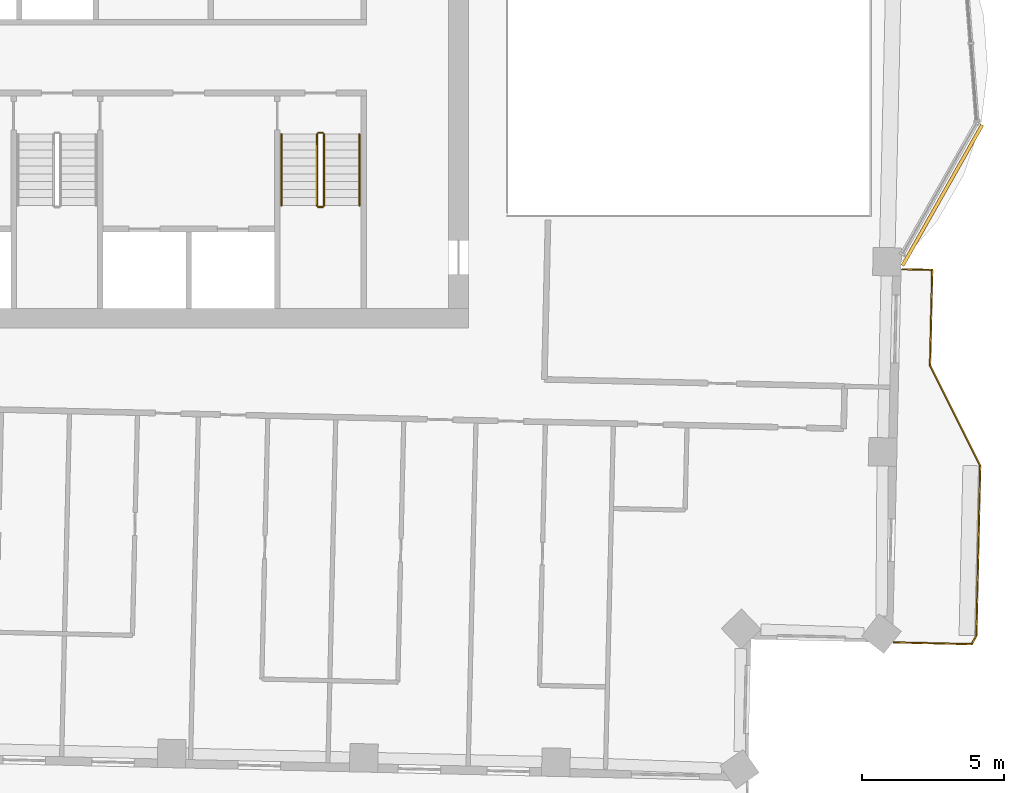
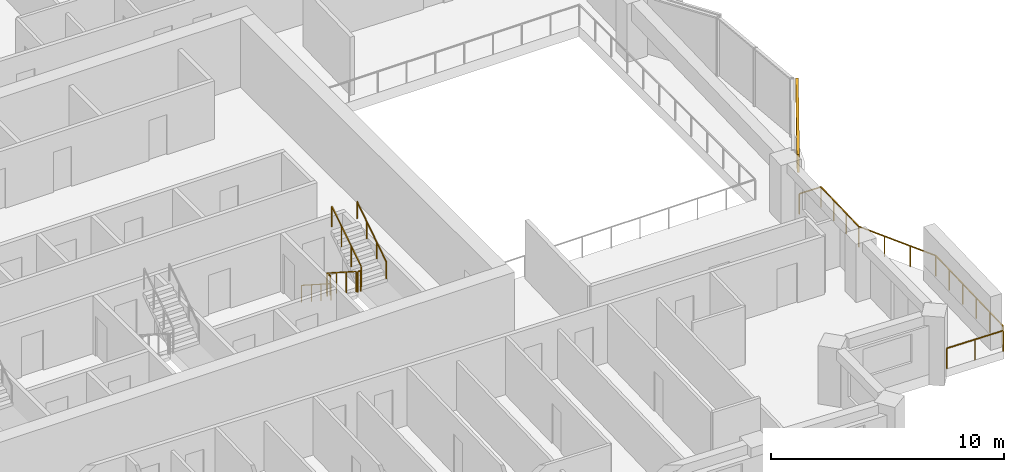
# One storey, part 16 of 17: 7 railings, 1 covering.
"""IFC4 building model written with IfcOpenShell, lengths in metres."""

from ifc_helpers import new_model, si_unit, direction, frame, frame_2d, origin, origin_2d, place, context, subcontext, project, spatial, rectangle, circle, extrude, material, layer, layer_set, type_object, element, save


model = new_model("IFC4")

# Units and contexts
model_context = context("Model", 3, precision=1e-05, world=origin(), true_north=direction((0.0, 1.0)))
body_context = subcontext(model_context, "Body", "Model", "MODEL_VIEW")
ifc_project = project(units=[si_unit("LENGTHUNIT", "METRE"), si_unit("AREAUNIT", "SQUARE_METRE"), si_unit("VOLUMEUNIT", "CUBIC_METRE"), si_unit("PLANEANGLEUNIT", "RADIAN"), si_unit("MASSUNIT", "GRAM", prefix="KILO")], contexts=[model_context])

# Site, building, storey
site_placement = place(None, origin())
site = spatial("IfcSite", under=ifc_project, at=site_placement, CompositionType="ELEMENT")
building_placement = place(site_placement, origin())
building = spatial("IfcBuilding", under=site, at=building_placement, Name="Mangrove Gate Tower", CompositionType="ELEMENT")
storey_placement = place(building_placement, frame((0.0, 0.0, 268.10009765625)))
storey = spatial("IfcBuildingStorey", under=building, at=storey_placement, Name="L68", CompositionType="ELEMENT", Elevation=268.10009765625)

# Railings
ifc_material_1 = material(Name="Stainless steel grade 316 with laminated glass infill", Category="steel")
railing_type_1 = type_object("IfcRailingType", Name="Balcony guard 1100", PredefinedType="GUARDRAIL", material=ifc_material_1)
railing_1_placement = place(storey_placement, frame((29.508056640625, -22.589111328125, 0.0)))
element("IfcRailing", 1, at=railing_1_placement, inside=storey, type_object=railing_type_1, Name="GUARD L68 E1", PredefinedType="GUARDRAIL", context=body_context, shape_type="SweptSolid", body=[
    extrude(rectangle(XDim=0.048095703125, YDim=0.048095703125, at=origin_2d()), frame((0.0, 0.0, 1.076171875), z_axis=(0.999748027468, -0.022447306616, 0.0), x_axis=(0.022447306616, 0.999748027468, 0.0)), (0.0, 0.0, 1.0), 2.751708984375),
    extrude(rectangle(XDim=0.048095703125, YDim=0.048095703125, at=origin_2d()), frame((2.7509765625, -0.061767578125, 1.076171875), z_axis=(0.487110593277, 0.873340294454, 0.0), x_axis=(-0.873340294454, 0.487110593277, 0.0)), (0.0, 0.0, 1.0), 0.3388671875),
    extrude(rectangle(XDim=0.048095703125, YDim=0.048095703125, at=origin_2d()), frame((2.916015625, 0.234130859375, 1.076171875), z_axis=(0.022662255828, 0.999743178102, 0.0), x_axis=(-0.999743178102, 0.022662255828, 0.0)), (0.0, 0.0, 1.0), 6.00048828125),
    extrude(rectangle(XDim=0.048095703125, YDim=0.048095703125, at=origin_2d()), frame((3.052001953125, 6.233154296875, 1.076171875), z_axis=(-0.447114919141, 0.894476522376, 0.0), x_axis=(-0.894476522376, -0.447114919141, 0.0)), (0.0, 0.0, 1.0), 3.958740234375),
    extrude(rectangle(XDim=0.048095703125, YDim=0.048095703125, at=origin_2d()), frame((1.281982421875, 9.774169921875, 1.076171875), z_axis=(0.02278713509, 0.999740339525, 0.0), x_axis=(-0.999740339525, 0.02278713509, 0.0)), (0.0, 0.0, 1.0), 3.375),
    extrude(rectangle(XDim=0.048095703125, YDim=0.048095703125, at=origin_2d()), frame((1.35888671875, 13.148193359375, 1.076171875), z_axis=(-0.999745389313, 0.022564497502, 0.0), x_axis=(-0.022564497502, -0.999745389313, 0.0)), (0.0, 0.0, 1.0), 1.060302734375),
    extrude(rectangle(XDim=0.0419921875, YDim=0.0419921875, at=origin_2d()), origin(), (0.0, 0.0, 1.0), 1.052001953125),
    extrude(rectangle(XDim=0.0419921875, YDim=0.0419921875, at=origin_2d()), frame((1.37548828125, -0.03076171875, 0.0)), (0.0, 0.0, 1.0), 1.052001953125),
    extrude(rectangle(XDim=0.0419921875, YDim=0.0419921875, at=origin_2d()), frame((2.7509765625, -0.061767578125, 0.0)), (0.0, 0.0, 1.0), 1.052001953125),
    extrude(rectangle(XDim=0.0419921875, YDim=0.0419921875, at=origin_2d()), frame((2.916015625, 0.234130859375, 0.0)), (0.0, 0.0, 1.0), 1.052001953125),
    extrude(rectangle(XDim=0.0419921875, YDim=0.0419921875, at=origin_2d()), frame((2.943115234375, 1.433837890625, 0.0)), (0.0, 0.0, 1.0), 1.052001953125),
    extrude(rectangle(XDim=0.0419921875, YDim=0.0419921875, at=origin_2d()), frame((2.970458984375, 2.6337890625, 0.0)), (0.0, 0.0, 1.0), 1.052001953125),
    extrude(rectangle(XDim=0.0419921875, YDim=0.0419921875, at=origin_2d()), frame((2.99755859375, 3.83349609375, 0.0)), (0.0, 0.0, 1.0), 1.052001953125),
    extrude(rectangle(XDim=0.0419921875, YDim=0.0419921875, at=origin_2d()), frame((3.02490234375, 5.033447265625, 0.0)), (0.0, 0.0, 1.0), 1.052001953125),
    extrude(rectangle(XDim=0.0419921875, YDim=0.0419921875, at=origin_2d()), frame((3.052001953125, 6.233154296875, 0.0)), (0.0, 0.0, 1.0), 1.052001953125),
    extrude(rectangle(XDim=0.0419921875, YDim=0.0419921875, at=origin_2d()), frame((2.4619140625, 7.41357421875, 0.0)), (0.0, 0.0, 1.0), 1.052001953125),
    extrude(rectangle(XDim=0.0419921875, YDim=0.0419921875, at=origin_2d()), frame((1.8720703125, 8.59375, 0.0)), (0.0, 0.0, 1.0), 1.052001953125),
    extrude(rectangle(XDim=0.0419921875, YDim=0.0419921875, at=origin_2d()), frame((1.281982421875, 9.774169921875, 0.0)), (0.0, 0.0, 1.0), 1.052001953125),
    extrude(rectangle(XDim=0.0419921875, YDim=0.0419921875, at=origin_2d()), frame((1.3076171875, 10.89892578125, 0.0)), (0.0, 0.0, 1.0), 1.052001953125),
    extrude(rectangle(XDim=0.0419921875, YDim=0.0419921875, at=origin_2d()), frame((1.333251953125, 12.0234375, 0.0)), (0.0, 0.0, 1.0), 1.052001953125),
    extrude(rectangle(XDim=0.0419921875, YDim=0.0419921875, at=origin_2d()), frame((1.35888671875, 13.148193359375, 0.0)), (0.0, 0.0, 1.0), 1.052001953125),
    extrude(rectangle(XDim=0.0419921875, YDim=0.0419921875, at=origin_2d()), frame((0.298828125, 13.172119140625, 0.0)), (0.0, 0.0, 1.0), 1.052001953125),
])
ifc_material_2 = material(Name="Stainless steel 316", Category="steel")
railing_type_2 = type_object("IfcRailingType", Name="Core stair guard 1100", PredefinedType="GUARDRAIL", material=ifc_material_2)
railing_2_placement = place(storey_placement, frame((9.14990234375, -4.64990234375, 0.179931640625)))
element("IfcRailing", 2, at=railing_2_placement, inside=storey, type_object=railing_type_2, Name="L68 ST3 stair guard 1", PredefinedType="GUARDRAIL", context=body_context, shape_type="SweptSolid", body=[
    extrude(rectangle(XDim=0.048095703125, YDim=0.048095703125, at=origin_2d()), frame((0.0, 0.0, 1.076171875), z_axis=(0.0, -0.841199657755, 0.540724639528), x_axis=(1.0, 0.0, 0.0)), (0.0, 0.0, 1.0), 2.995849609375),
    extrude(rectangle(XDim=0.0419921875, YDim=0.0419921875, at=origin_2d()), origin(), (0.0, 0.0, 1.0), 1.052001953125),
    extrude(rectangle(XDim=0.0419921875, YDim=0.0419921875, at=origin_2d()), frame((0.0, -0.840087890625, 0.5400390625)), (0.0, 0.0, 1.0), 1.052001953125),
    extrude(rectangle(XDim=0.0419921875, YDim=0.0419921875, at=origin_2d()), frame((0.0, -1.679931640625, 1.079833984375)), (0.0, 0.0, 1.0), 1.052001953125),
    extrude(rectangle(XDim=0.0419921875, YDim=0.0419921875, at=origin_2d()), frame((0.0, -2.52001953125, 1.619873046875)), (0.0, 0.0, 1.0), 1.052001953125),
])
railing_3_placement = place(storey_placement, frame((9.199951171875, -7.219970703125, 1.7998046875)))
element("IfcRailing", 3, at=railing_3_placement, inside=storey, type_object=railing_type_2, Name="L68 ST3 stair guard 2", PredefinedType="GUARDRAIL", context=body_context, shape_type="SweptSolid", body=[
    extrude(rectangle(XDim=0.048095703125, YDim=0.048095703125, at=origin_2d()), frame((0.0, 0.0, 1.076171875), z_axis=(1.0, 0.0, 0.0), x_axis=(0.0, 1.0, 0.0)), (0.0, 0.0, 1.0), 0.150146484375),
    extrude(rectangle(XDim=0.0419921875, YDim=0.0419921875, at=origin_2d()), origin(), (0.0, 0.0, 1.0), 1.052001953125),
    extrude(rectangle(XDim=0.0419921875, YDim=0.0419921875, at=origin_2d()), frame((0.150146484375, 0.0, 0.0)), (0.0, 0.0, 1.0), 1.052001953125),
])
railing_4_placement = place(storey_placement, frame((9.39990234375, -7.169921875, 1.97998046875)))
element("IfcRailing", 4, at=railing_4_placement, inside=storey, type_object=railing_type_2, Name="L68 ST3 stair guard 3", PredefinedType="GUARDRAIL", context=body_context, shape_type="SweptSolid", body=[
    extrude(rectangle(XDim=0.048095703125, YDim=0.048095703125, at=origin_2d()), frame((0.0, 0.0, 1.076171875), z_axis=(0.0, 0.841199657755, 0.540724639528), x_axis=(-1.0, 0.0, 0.0)), (0.0, 0.0, 1.0), 2.995849609375),
    extrude(rectangle(XDim=0.0419921875, YDim=0.0419921875, at=origin_2d()), origin(), (0.0, 0.0, 1.0), 1.052001953125),
    extrude(rectangle(XDim=0.0419921875, YDim=0.0419921875, at=origin_2d()), frame((0.0, 0.840087890625, 0.5400390625)), (0.0, 0.0, 1.0), 1.052001953125),
    extrude(rectangle(XDim=0.0419921875, YDim=0.0419921875, at=origin_2d()), frame((0.0, 1.679931640625, 1.079833984375)), (0.0, 0.0, 1.0), 1.052001953125),
    extrude(rectangle(XDim=0.0419921875, YDim=0.0419921875, at=origin_2d()), frame((0.0, 2.52001953125, 1.619873046875)), (0.0, 0.0, 1.0), 1.052001953125),
])
railing_5_placement = place(storey_placement, frame((9.199951171875, -4.60009765625, 0.0)))
element("IfcRailing", 5, at=railing_5_placement, inside=storey, type_object=railing_type_2, Name="L68 ST3 stair guard 4", PredefinedType="GUARDRAIL", context=body_context, shape_type="SweptSolid", body=[
    extrude(rectangle(XDim=0.048095703125, YDim=0.048095703125, at=origin_2d()), frame((0.0, 0.0, 1.076171875), z_axis=(1.0, 0.0, 0.0), x_axis=(0.0, 1.0, 0.0)), (0.0, 0.0, 1.0), 0.150146484375),
    extrude(rectangle(XDim=0.0419921875, YDim=0.0419921875, at=origin_2d()), origin(), (0.0, 0.0, 1.0), 1.052001953125),
    extrude(rectangle(XDim=0.0419921875, YDim=0.0419921875, at=origin_2d()), frame((0.150146484375, 0.0, 0.0)), (0.0, 0.0, 1.0), 1.052001953125),
])
ifc_material_3 = material(Name="Stainless steel 316", Category="steel")
railing_type_3 = type_object("IfcRailingType", Name="Core stair handrail 900", PredefinedType="HANDRAIL", material=ifc_material_3)
railing_6_placement = place(storey_placement, frame((7.89990234375, -4.64990234375, 0.179931640625)))
element("IfcRailing", 6, at=railing_6_placement, inside=storey, type_object=railing_type_3, Name="L68 ST3 stair handrail 1", PredefinedType="HANDRAIL", context=body_context, shape_type="SweptSolid", body=[
    extrude(circle(Radius=0.02392578125, at=origin_2d()), frame((0.0, 0.0, 0.8759765625), z_axis=(0.0, -0.841199657755, 0.540724639528), x_axis=(1.0, 0.0, 0.0)), (0.0, 0.0, 1.0), 2.995849609375),
    extrude(circle(Radius=0.02099609375, at=origin_2d()), origin(), (0.0, 0.0, 1.0), 0.851806640625),
    extrude(circle(Radius=0.02099609375, at=origin_2d()), frame((0.0, -0.840087890625, 0.5400390625)), (0.0, 0.0, 1.0), 0.851806640625),
    extrude(circle(Radius=0.02099609375, at=origin_2d()), frame((0.0, -1.679931640625, 1.079833984375)), (0.0, 0.0, 1.0), 0.851806640625),
    extrude(circle(Radius=0.02099609375, at=origin_2d()), frame((0.0, -2.52001953125, 1.619873046875)), (0.0, 0.0, 1.0), 0.851806640625),
])
railing_7_placement = place(storey_placement, frame((10.64990234375, -7.169921875, 1.97998046875)))
element("IfcRailing", 7, at=railing_7_placement, inside=storey, type_object=railing_type_3, Name="L68 ST3 stair handrail 2", PredefinedType="HANDRAIL", context=body_context, shape_type="SweptSolid", body=[
    extrude(circle(Radius=0.02392578125, at=origin_2d()), frame((0.0, 0.0, 0.8759765625), z_axis=(0.0, 0.841199657755, 0.540724639528), x_axis=(-1.0, 0.0, 0.0)), (0.0, 0.0, 1.0), 2.995849609375),
    extrude(circle(Radius=0.02099609375, at=origin_2d()), origin(), (0.0, 0.0, 1.0), 0.851806640625),
    extrude(circle(Radius=0.02099609375, at=origin_2d()), frame((0.0, 0.840087890625, 0.5400390625)), (0.0, 0.0, 1.0), 0.851806640625),
    extrude(circle(Radius=0.02099609375, at=origin_2d()), frame((0.0, 1.679931640625, 1.079833984375)), (0.0, 0.0, 1.0), 0.851806640625),
    extrude(circle(Radius=0.02099609375, at=origin_2d()), frame((0.0, 2.52001953125, 1.619873046875)), (0.0, 0.0, 1.0), 0.851806640625),
])

# Covering
ifc_material_4 = material(Name="Limestone", Category="masonry")
ifc_layer_1 = layer(ifc_material_4, 0.0400390625, Name="Limestone cladding")
ifc_material_5 = material(Name="Stainless steel anchors and cavity", Category="steel")
ifc_layer_2 = layer(ifc_material_5, 0.080078125, Name="Fixing cavity")
ifc_layer_set = layer_set([ifc_layer_1, ifc_layer_2], Name="Joint fascia cladding 120")
covering_type = type_object("IfcCoveringType", Name="Joint fascia cladding 120", PredefinedType="CLADDING", material=ifc_layer_set)
covering_placement = place(storey_placement, frame((29.820068359375, -9.29296875, 2.099853515625), z_axis=(0.0, 0.0, 1.0), x_axis=(0.492443523438, 0.870344400926, 0.0)))
element("IfcCovering", 8, at=covering_placement, inside=storey, type_object=covering_type, Name="STONE FASCIA L68 E1.L1", PredefinedType="CLADDING", context=body_context, shape_type="SweptSolid", body=[
    extrude(rectangle(XDim=5.705810546875, YDim=0.1201171875, at=frame_2d((2.85302734375, 0.0))), origin(), (0.0, 0.0, 1.0), 0.949951171875),
])

save(model, "model.ifc")
